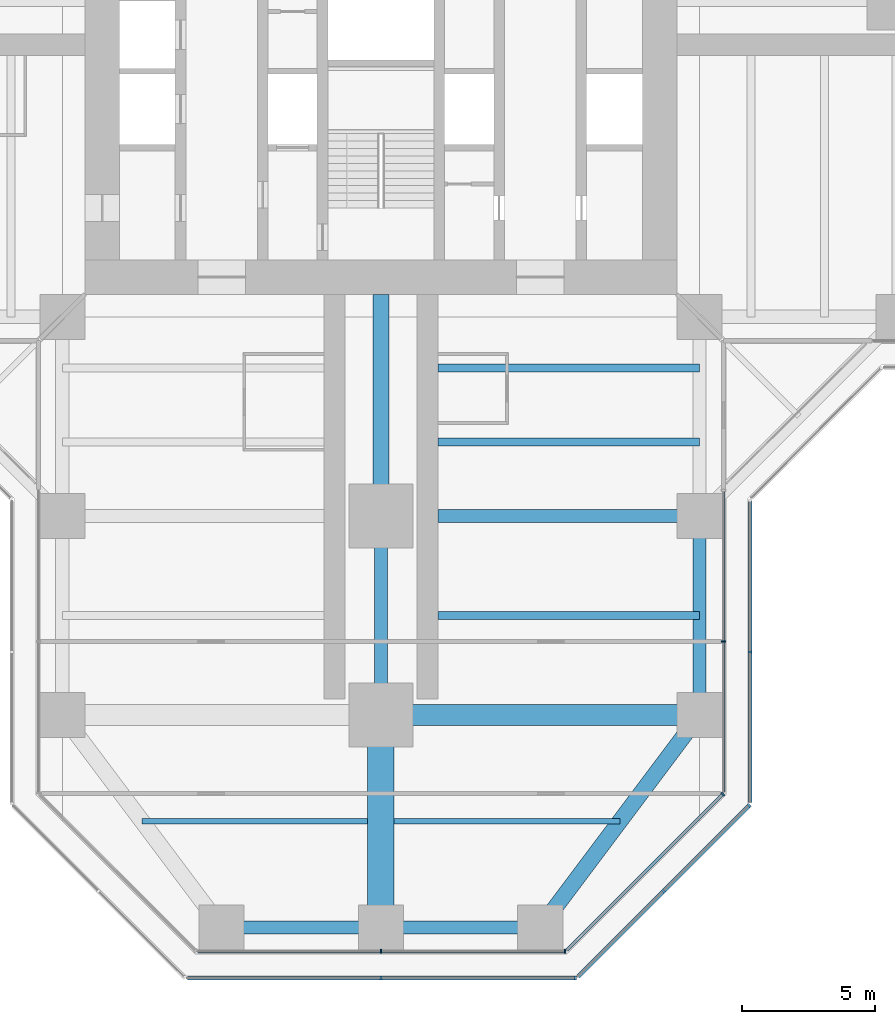
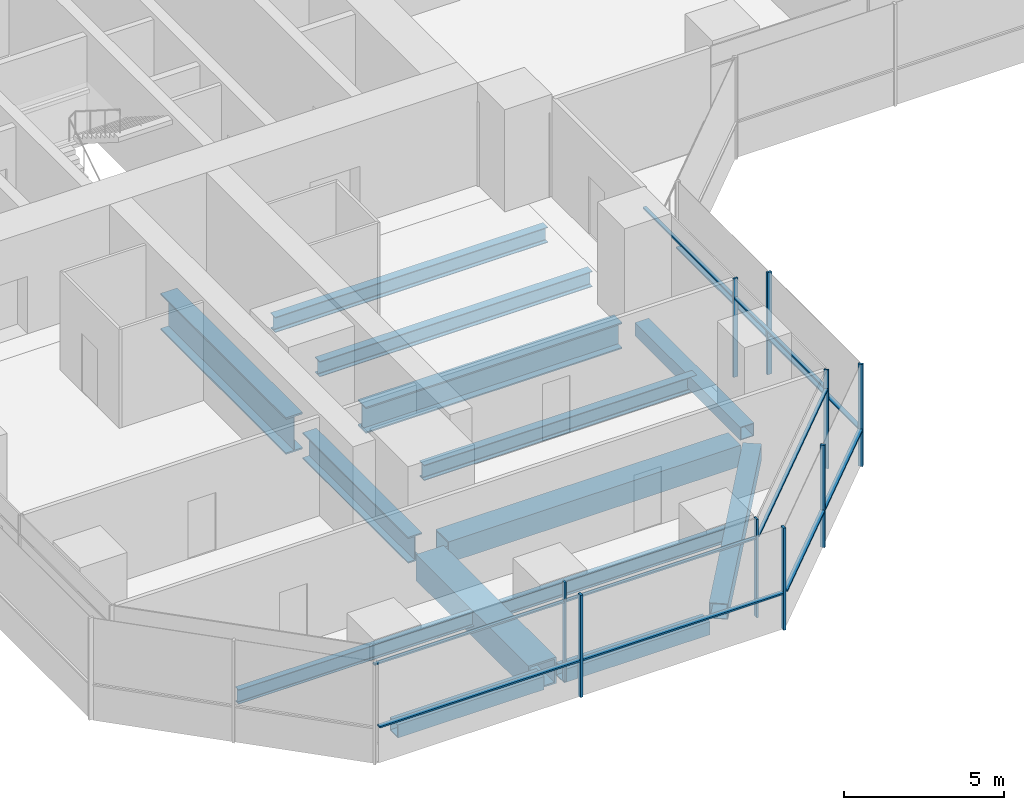
# One storey, part 5 of 22: 20 members, 14 beams, 6 elements without a shape of their own.
"""IFC4 building model written with IfcOpenShell, lengths in metres."""

from ifc_helpers import new_model, si_unit, direction, frame, origin, origin_2d, place, context, subcontext, project, spatial, rectangle, hollow_rectangle, i_section, extrude, material, material_profile, profile_set, type_object, element, aggregate, save


model = new_model("IFC4")

# Units and contexts
model_context = context("Model", 3, precision=1e-05, world=origin(), true_north=direction((0.0, 1.0)))
body_context = subcontext(model_context, "Body", "Model", "MODEL_VIEW")
ifc_project = project(units=[si_unit("LENGTHUNIT", "METRE"), si_unit("AREAUNIT", "SQUARE_METRE"), si_unit("VOLUMEUNIT", "CUBIC_METRE"), si_unit("PLANEANGLEUNIT", "RADIAN"), si_unit("MASSUNIT", "GRAM", prefix="KILO")], contexts=[model_context])

# Site, building, storey
site_placement = place(None, origin())
site = spatial("IfcSite", under=ifc_project, at=site_placement, CompositionType="ELEMENT")
building_placement = place(site_placement, origin())
building = spatial("IfcBuilding", under=site, at=building_placement, Name="Mizan Broadcast Tower", CompositionType="ELEMENT")
storey_placement = place(building_placement, frame((0.0, 0.0, 90.300048828125)))
storey = spatial("IfcBuildingStorey", under=building, at=storey_placement, Name="L19", CompositionType="ELEMENT", Elevation=90.300048828125)

# Beams
ifc_material_1 = material(Name="Steel S355", Category="steel")
ifc_material_profile_1 = material_profile(ifc_material_1, hollow_rectangle(XDim=0.5, YDim=0.5, WallThickness=0.030029296875, at=origin_2d()), Name="BOX 500x500x30")
ifc_profile_set_1 = profile_set([ifc_material_profile_1], Name="Steel S355")
beam_type_1 = type_object("IfcBeamType", Name="EDGE BEAM BOX 500x500x30", PredefinedType="SPANDREL", material=ifc_profile_set_1)
beam_1_placement = place(storey_placement, frame((-5.639892578125, -35.0, -0.380126953125), z_axis=(1.0, 0.0, 0.0), x_axis=(0.0, 1.0, 0.0)))
element("IfcBeam", 1, at=beam_1_placement, inside=storey, type_object=beam_type_1, Name="Edge beam BOX 500x500x30 L19 south arm", PredefinedType="SPANDREL", context=body_context, shape_type="SweptSolid", body=[
    extrude(hollow_rectangle(XDim=0.5, YDim=0.5, WallThickness=0.030029296875, at=origin_2d()), origin(), (0.0, 0.0, 1.0), 5.27978515625),
])
beam_2_placement = place(storey_placement, frame((12.0, -19.949951171875, -0.380126953125), z_axis=(0.0, -1.0, 0.0), x_axis=(1.0, 0.0, 0.0)))
element("IfcBeam", 2, at=beam_2_placement, inside=storey, type_object=beam_type_1, Name="Edge beam BOX 500x500x30 L19 south arm", PredefinedType="SPANDREL", context=body_context, shape_type="SweptSolid", body=[
    extrude(hollow_rectangle(XDim=0.5, YDim=0.5, WallThickness=0.030029296875, at=origin_2d()), origin(), (0.0, 0.0, 1.0), 6.60009765625),
])
beam_3_placement = place(storey_placement, frame((5.639892578125, -35.0, -0.380126953125), z_axis=(-1.0, 0.0, 0.0), x_axis=(0.0, -1.0, 0.0)))
element("IfcBeam", 3, at=beam_3_placement, inside=storey, type_object=beam_type_1, Name="Edge beam BOX 500x500x30 L19 south arm", PredefinedType="SPANDREL", context=body_context, shape_type="SweptSolid", body=[
    extrude(hollow_rectangle(XDim=0.5, YDim=0.5, WallThickness=0.030029296875, at=origin_2d()), origin(), (0.0, 0.0, 1.0), 5.27978515625),
])
ifc_material_2 = material(Name="Steel S355", Category="steel")
ifc_material_profile_2 = material_profile(ifc_material_2, hollow_rectangle(XDim=0.60009765625, YDim=0.60009765625, WallThickness=0.030029296875, at=origin_2d()), Name="BOX 600x600x30")
ifc_profile_set_2 = profile_set([ifc_material_profile_2], Name="Steel S355")
beam_type_2 = type_object("IfcBeamType", Name="EDGE BEAM BOX 600x600x30", PredefinedType="SPANDREL", material=ifc_profile_set_2)
beam_4_placement = place(storey_placement, frame((11.639892578125, -27.47998046875, -0.429931640625), z_axis=(-0.599982243973, -0.800013316712, 0.0), x_axis=(0.800013316712, -0.599982243973, 0.0)))
element("IfcBeam", 4, at=beam_4_placement, inside=storey, type_object=beam_type_2, Name="Edge beam BOX 600x600x30 L19 south arm", PredefinedType="SPANDREL", context=body_context, shape_type="SweptSolid", body=[
    extrude(hollow_rectangle(XDim=0.60009765625, YDim=0.60009765625, WallThickness=0.030029296875, at=origin_2d()), origin(), (0.0, 0.0, 1.0), 8.7998046875),
])
ifc_material_3 = material(Name="Steel S460", Category="steel")
ifc_material_profile_3 = material_profile(ifc_material_3, hollow_rectangle(XDim=1.0, YDim=1.0, WallThickness=0.06005859375, at=origin_2d()), Name="BOX 1000x1000x60")
ifc_profile_set_3 = profile_set([ifc_material_profile_3], Name="Steel S460")
beam_type_3 = type_object("IfcBeamType", Name="GIRDER BOX 1000x1000x60", PredefinedType="BEAM", material=ifc_profile_set_3)
beam_5_placement = place(storey_placement, frame((0.0, -27.47998046875, -0.630126953125), z_axis=(0.0, -1.0, 0.0), x_axis=(1.0, 0.0, 0.0)))
element("IfcBeam", 5, at=beam_5_placement, inside=storey, type_object=beam_type_3, Name="Girder BOX 1000x1000x60 L19 south arm", PredefinedType="BEAM", context=body_context, shape_type="SweptSolid", body=[
    extrude(hollow_rectangle(XDim=1.0, YDim=1.0, WallThickness=0.06005859375, at=origin_2d()), origin(), (0.0, 0.0, 1.0), 7.0400390625),
])
ifc_material_4 = material(Name="Steel S460", Category="steel")
ifc_material_profile_4 = material_profile(ifc_material_4, hollow_rectangle(XDim=0.800048828125, YDim=0.800048828125, WallThickness=0.050048828125, at=origin_2d()), Name="BOX 800x800x50")
ifc_profile_set_4 = profile_set([ifc_material_profile_4], Name="Steel S460")
beam_type_4 = type_object("IfcBeamType", Name="GIRDER BOX 800x800x50", PredefinedType="BEAM", material=ifc_profile_set_4)
beam_6_placement = place(storey_placement, frame((11.280029296875, -27.0, -0.530029296875), z_axis=(-1.0, 0.0, 0.0), x_axis=(0.0, -1.0, 0.0)))
element("IfcBeam", 6, at=beam_6_placement, inside=storey, type_object=beam_type_4, Name="Girder BOX 800x800x50 L19 south arm", PredefinedType="BEAM", context=body_context, shape_type="SweptSolid", body=[
    extrude(hollow_rectangle(XDim=0.800048828125, YDim=0.800048828125, WallThickness=0.050048828125, at=origin_2d()), origin(), (0.0, 0.0, 1.0), 10.56005859375),
])
ifc_material_5 = material(Name="Steel S460", Category="steel")
ifc_material_profile_5 = material_profile(ifc_material_5, i_section(OverallWidth=0.5, OverallDepth=1.0, WebThickness=0.02490234375, FlangeThickness=0.050048828125, at=origin_2d()), Name="WPG 1000x500")
ifc_profile_set_5 = profile_set([ifc_material_profile_5], Name="Steel S460")
beam_type_5 = type_object("IfcBeamType", Name="GIRDER WPG 1000x500", PredefinedType="BEAM", material=ifc_profile_set_5)
beam_7_placement = place(storey_placement, frame((0.0, -19.949951171875, -0.630126953125), z_axis=(0.0, -1.0, 0.0), x_axis=(1.0, 0.0, 0.0)))
element("IfcBeam", 7, at=beam_7_placement, inside=storey, type_object=beam_type_5, Name="Girder WPG 1000x500 L19 south arm", PredefinedType="BEAM", context=body_context, shape_type="SweptSolid", body=[
    extrude(i_section(OverallWidth=0.5, OverallDepth=1.0, WebThickness=0.02490234375, FlangeThickness=0.050048828125, at=origin_2d()), origin(), (0.0, 0.0, 1.0), 6.60009765625),
])
beam_8_placement = place(storey_placement, frame((11.408935546875, -19.5, -0.630126953125), z_axis=(-1.0, 0.0, 0.0), x_axis=(0.0, -1.0, 0.0)))
element("IfcBeam", 8, at=beam_8_placement, inside=storey, type_object=beam_type_5, Name="Girder WPG 1000x500 L19 south arm", PredefinedType="BEAM", context=body_context, shape_type="SweptSolid", body=[
    extrude(i_section(OverallWidth=0.5, OverallDepth=1.0, WebThickness=0.02490234375, FlangeThickness=0.050048828125, at=origin_2d()), origin(), (0.0, 0.0, 1.0), 9.259033203125),
])
ifc_material_6 = material(Name="Steel S460", Category="steel")
ifc_material_profile_6 = material_profile(ifc_material_6, i_section(OverallWidth=0.60009765625, OverallDepth=1.39990234375, WebThickness=0.02490234375, FlangeThickness=0.06005859375, at=origin_2d()), Name="WPG 1400x600")
ifc_profile_set_6 = profile_set([ifc_material_profile_6], Name="Steel S460")
beam_type_6 = type_object("IfcBeamType", Name="GIRDER WPG 1400x600", PredefinedType="BEAM", material=ifc_profile_set_6)
beam_9_placement = place(storey_placement, frame((0.0, -11.14990234375, -0.830078125), z_axis=(0.0, -1.0, 0.0), x_axis=(1.0, 0.0, 0.0)))
element("IfcBeam", 9, at=beam_9_placement, inside=storey, type_object=beam_type_6, Name="Girder WPG 1400x600 L19 south arm", PredefinedType="BEAM", context=body_context, shape_type="SweptSolid", body=[
    extrude(i_section(OverallWidth=0.60009765625, OverallDepth=1.39990234375, WebThickness=0.02490234375, FlangeThickness=0.06005859375, at=origin_2d()), origin(), (0.0, 0.0, 1.0), 7.84912109375),
])

# Curtain wall, members
ifc_material_7 = material(Name="Aluminium framed glazing", Category="aluminium")
curtain_wall_type_1 = type_object("IfcCurtainWallType", Name="INNER SKIN LOW ZONE", PredefinedType="USERDEFINED", material=ifc_material_7)
curtain_wall_1_placement = place(storey_placement, origin())
curtain_wall_1 = element("IfcCurtainWall", 10, at=curtain_wall_1_placement, inside=storey, type_object=curtain_wall_type_1, Name="Inner skin low zone L19 S end", ObjectType="INNER SKIN LOW ZONE", PredefinedType="USERDEFINED")
ifc_material_8 = material(Name="Aluminium, pale anodised", Category="aluminium")
ifc_material_profile_7 = material_profile(ifc_material_8, rectangle(XDim=0.159912109375, YDim=0.06005859375, at=origin_2d()), Name="MULLION 160x60")
ifc_profile_set_7 = profile_set([ifc_material_profile_7], Name="Aluminium, pale anodised")
member_type_1 = type_object("IfcMemberType", Name="INNER SKIN MULLION 60x160", PredefinedType="MULLION", material=ifc_profile_set_7)
member_1_placement = place(storey_placement, frame((0.0, -35.89990234375, 0.0), z_axis=(0.0, 0.0, 1.0), x_axis=(0.0, 1.0, 0.0)))
member_1 = element("IfcMember", 11, at=member_1_placement, type_object=member_type_1, Name="Inner skin low zone L19 S end mullion 2", PredefinedType="MULLION", context=body_context, shape_type="SweptSolid", body=[
    extrude(rectangle(XDim=0.159912109375, YDim=0.06005859375, at=origin_2d()), origin(), (0.0, 0.0, 1.0), 3.77001953125),
])
member_2_placement = place(storey_placement, frame((6.928466796875, -35.89990234375, 0.0), z_axis=(0.0, 0.0, 1.0), x_axis=(0.0, 1.0, 0.0)))
member_2 = element("IfcMember", 12, at=member_2_placement, type_object=member_type_1, Name="Inner skin low zone L19 S end mullion 3", PredefinedType="MULLION", context=body_context, shape_type="SweptSolid", body=[
    extrude(rectangle(XDim=0.159912109375, YDim=0.06005859375, at=origin_2d()), origin(), (0.0, 0.0, 1.0), 3.77001953125),
])

# Curtain wall, member
curtain_wall_2_placement = place(storey_placement, origin())
curtain_wall_2 = element("IfcCurtainWall", 13, at=curtain_wall_2_placement, inside=storey, type_object=curtain_wall_type_1, Name="Inner skin low zone L19 S chamfer", ObjectType="INNER SKIN LOW ZONE", PredefinedType="USERDEFINED")
member_3_placement = place(storey_placement, frame((12.87890625, -29.979736328125, 0.0), z_axis=(0.0, 0.0, 1.0), x_axis=(-0.707106781187, 0.707106781187, 0.0)))
member_3 = element("IfcMember", 14, at=member_3_placement, type_object=member_type_1, Name="Inner skin low zone L19 S chamfer mullion 2", PredefinedType="MULLION", context=body_context, shape_type="SweptSolid", body=[
    extrude(rectangle(XDim=0.159912109375, YDim=0.06005859375, at=origin_2d()), origin(), (0.0, 0.0, 1.0), 3.77001953125),
])

curtain_wall_3_placement = place(storey_placement, origin())
curtain_wall_3 = element("IfcCurtainWall", 15, at=curtain_wall_3_placement, inside=storey, type_object=curtain_wall_type_1, Name="Inner skin low zone L19 S side", ObjectType="INNER SKIN LOW ZONE", PredefinedType="USERDEFINED")
member_4_placement = place(storey_placement, frame((12.89990234375, -24.229248046875, 0.0), z_axis=(0.0, 0.0, 1.0), x_axis=(-1.0, 0.0, 0.0)))
member_4 = element("IfcMember", 16, at=member_4_placement, type_object=member_type_1, Name="Inner skin low zone L19 S side mullion 2", PredefinedType="MULLION", context=body_context, shape_type="SweptSolid", body=[
    extrude(rectangle(XDim=0.159912109375, YDim=0.06005859375, at=origin_2d()), origin(), (0.0, 0.0, 1.0), 3.77001953125),
])

# Member
ifc_material_9 = material(Name="Aluminium, pale anodised", Category="aluminium")
ifc_material_profile_8 = material_profile(ifc_material_9, rectangle(XDim=0.1201171875, YDim=0.06005859375, at=origin_2d()), Name="TRANSOM 120x60")
ifc_profile_set_8 = profile_set([ifc_material_profile_8], Name="Aluminium, pale anodised")
member_type_2 = type_object("IfcMemberType", Name="INNER SKIN TRANSOM 60x120", PredefinedType="USERDEFINED", material=ifc_profile_set_8)
member_5_placement = place(storey_placement, frame((-6.898681640625, -35.89990234375, 3.030029296875), z_axis=(1.0, 0.0, 0.0), x_axis=(0.0, 1.0, 0.0)))
member_5 = element("IfcMember", 17, at=member_5_placement, type_object=member_type_2, Name="Inner skin low zone L19 S end transom 1.1", ObjectType="TRANSOM", PredefinedType="USERDEFINED", context=body_context, shape_type="SweptSolid", body=[
    extrude(rectangle(XDim=0.1201171875, YDim=0.06005859375, at=origin_2d()), origin(), (0.0, 0.0, 1.0), 6.86865234375),
])

member_6_placement = place(storey_placement, frame((0.030029296875, -35.89990234375, 3.030029296875), z_axis=(1.0, 0.0, 0.0), x_axis=(0.0, 1.0, 0.0)))
member_6 = element("IfcMember", 18, at=member_6_placement, type_object=member_type_2, Name="Inner skin low zone L19 S end transom 2.1", ObjectType="TRANSOM", PredefinedType="USERDEFINED", context=body_context, shape_type="SweptSolid", body=[
    extrude(rectangle(XDim=0.1201171875, YDim=0.06005859375, at=origin_2d()), origin(), (0.0, 0.0, 1.0), 6.86865234375),
])

aggregate(curtain_wall_1, [member_1, member_2, member_5, member_6])

member_7_placement = place(storey_placement, frame((7.0009765625, -35.857666015625, 3.030029296875), z_axis=(0.707106781187, 0.707106781187, 0.0), x_axis=(-0.707106781187, 0.707106781187, 0.0)))
member_7 = element("IfcMember", 19, at=member_7_placement, type_object=member_type_2, Name="Inner skin low zone L19 S chamfer transom 1.1", ObjectType="TRANSOM", PredefinedType="USERDEFINED", context=body_context, shape_type="SweptSolid", body=[
    extrude(rectangle(XDim=0.1201171875, YDim=0.06005859375, at=origin_2d()), origin(), (0.0, 0.0, 1.0), 8.28271484375),
])

aggregate(curtain_wall_2, [member_3, member_7])

member_8_placement = place(storey_placement, frame((12.89990234375, -29.898681640625, 3.030029296875), z_axis=(0.0, 1.0, 0.0), x_axis=(-1.0, 0.0, 0.0)))
member_8 = element("IfcMember", 20, at=member_8_placement, type_object=member_type_2, Name="Inner skin low zone L19 S side transom 1.1", ObjectType="TRANSOM", PredefinedType="USERDEFINED", context=body_context, shape_type="SweptSolid", body=[
    extrude(rectangle(XDim=0.1201171875, YDim=0.06005859375, at=origin_2d()), origin(), (0.0, 0.0, 1.0), 5.639404296875),
])

member_9_placement = place(storey_placement, frame((12.89990234375, -24.19921875, 3.030029296875), z_axis=(0.0, 1.0, 0.0), x_axis=(-1.0, 0.0, 0.0)))
member_9 = element("IfcMember", 21, at=member_9_placement, type_object=member_type_2, Name="Inner skin low zone L19 S side transom 2.1", ObjectType="TRANSOM", PredefinedType="USERDEFINED", context=body_context, shape_type="SweptSolid", body=[
    extrude(rectangle(XDim=0.1201171875, YDim=0.06005859375, at=origin_2d()), origin(), (0.0, 0.0, 1.0), 5.63916015625),
])

aggregate(curtain_wall_3, [member_4, member_8, member_9])

# Curtain wall, members
ifc_material_10 = material(Name="Aluminium framed glazing", Category="aluminium")
curtain_wall_type_2 = type_object("IfcCurtainWallType", Name="OUTER SKIN", PredefinedType="USERDEFINED", material=ifc_material_10)
curtain_wall_4_placement = place(storey_placement, origin())
curtain_wall_4 = element("IfcCurtainWall", 22, at=curtain_wall_4_placement, inside=storey, type_object=curtain_wall_type_2, Name="Outer skin L19 S end", ObjectType="OUTER SKIN", PredefinedType="USERDEFINED")
ifc_material_11 = material(Name="Aluminium, pale anodised", Category="aluminium")
ifc_material_profile_9 = material_profile(ifc_material_11, rectangle(XDim=0.159912109375, YDim=0.080078125, at=origin_2d()), Name="MULLION 160x80")
ifc_profile_set_9 = profile_set([ifc_material_profile_9], Name="Aluminium, pale anodised")
member_type_3 = type_object("IfcMemberType", Name="OUTER SKIN MULLION 80x160", PredefinedType="MULLION", material=ifc_profile_set_9)
member_10_placement = place(storey_placement, frame((0.0, -36.89990234375, 0.0), z_axis=(0.0, 0.0, 1.0), x_axis=(0.0, 1.0, 0.0)))
member_10 = element("IfcMember", 23, at=member_10_placement, type_object=member_type_3, Name="Outer skin L19 S end mullion 2", PredefinedType="MULLION", context=body_context, shape_type="SweptSolid", body=[
    extrude(rectangle(XDim=0.159912109375, YDim=0.080078125, at=origin_2d()), origin(), (0.0, 0.0, 1.0), 3.89990234375),
])
member_11_placement = place(storey_placement, frame((7.332763671875, -36.89990234375, 0.0), z_axis=(0.0, 0.0, 1.0), x_axis=(0.0, 1.0, 0.0)))
member_11 = element("IfcMember", 24, at=member_11_placement, type_object=member_type_3, Name="Outer skin L19 S end mullion 3", PredefinedType="MULLION", context=body_context, shape_type="SweptSolid", body=[
    extrude(rectangle(XDim=0.159912109375, YDim=0.080078125, at=origin_2d()), origin(), (0.0, 0.0, 1.0), 3.89990234375),
])

curtain_wall_5_placement = place(storey_placement, origin())
curtain_wall_5 = element("IfcCurtainWall", 25, at=curtain_wall_5_placement, inside=storey, type_object=curtain_wall_type_2, Name="Outer skin L19 S chamfer", ObjectType="OUTER SKIN", PredefinedType="USERDEFINED")
member_12_placement = place(storey_placement, frame((10.636474609375, -33.636474609375, 0.0), z_axis=(0.0, 0.0, 1.0), x_axis=(-0.707106781187, 0.707106781187, 0.0)))
member_12 = element("IfcMember", 26, at=member_12_placement, type_object=member_type_3, Name="Outer skin L19 S chamfer mullion 2", PredefinedType="MULLION", context=body_context, shape_type="SweptSolid", body=[
    extrude(rectangle(XDim=0.159912109375, YDim=0.080078125, at=origin_2d()), origin(), (0.0, 0.0, 1.0), 3.89990234375),
])
member_13_placement = place(storey_placement, frame((13.871826171875, -30.401123046875, 0.0), z_axis=(0.0, 0.0, 1.0), x_axis=(-0.707106781187, 0.707106781187, 0.0)))
member_13 = element("IfcMember", 27, at=member_13_placement, type_object=member_type_3, Name="Outer skin L19 S chamfer mullion 3", PredefinedType="MULLION", context=body_context, shape_type="SweptSolid", body=[
    extrude(rectangle(XDim=0.159912109375, YDim=0.080078125, at=origin_2d()), origin(), (0.0, 0.0, 1.0), 3.89990234375),
])

# Curtain wall, member
curtain_wall_6_placement = place(storey_placement, origin())
curtain_wall_6 = element("IfcCurtainWall", 28, at=curtain_wall_6_placement, inside=storey, type_object=curtain_wall_type_2, Name="Outer skin L19 S side", ObjectType="OUTER SKIN", PredefinedType="USERDEFINED")
member_14_placement = place(storey_placement, frame((13.89990234375, -24.622802734375, 0.0), z_axis=(0.0, 0.0, 1.0), x_axis=(-1.0, 0.0, 0.0)))
member_14 = element("IfcMember", 29, at=member_14_placement, type_object=member_type_3, Name="Outer skin L19 S side mullion 2", PredefinedType="MULLION", context=body_context, shape_type="SweptSolid", body=[
    extrude(rectangle(XDim=0.159912109375, YDim=0.080078125, at=origin_2d()), origin(), (0.0, 0.0, 1.0), 3.89990234375),
])

# Member
ifc_material_12 = material(Name="Aluminium, pale anodised", Category="aluminium")
ifc_material_profile_10 = material_profile(ifc_material_12, rectangle(XDim=0.159912109375, YDim=0.06005859375, at=origin_2d()), Name="TRANSOM 160x60")
ifc_profile_set_10 = profile_set([ifc_material_profile_10], Name="Aluminium, pale anodised")
member_type_4 = type_object("IfcMemberType", Name="OUTER SKIN TRANSOM 60x160", PredefinedType="USERDEFINED", material=ifc_profile_set_10)
member_15_placement = place(storey_placement, frame((-7.292724609375, -36.89990234375, 1.39990234375), z_axis=(1.0, 0.0, 0.0), x_axis=(0.0, 1.0, 0.0)))
member_15 = element("IfcMember", 30, at=member_15_placement, type_object=member_type_4, Name="Outer skin L19 S end transom 1.1", ObjectType="TRANSOM", PredefinedType="USERDEFINED", context=body_context, shape_type="SweptSolid", body=[
    extrude(rectangle(XDim=0.159912109375, YDim=0.06005859375, at=origin_2d()), origin(), (0.0, 0.0, 1.0), 7.252685546875),
])

member_16_placement = place(storey_placement, frame((0.0400390625, -36.89990234375, 1.39990234375), z_axis=(1.0, 0.0, 0.0), x_axis=(0.0, 1.0, 0.0)))
member_16 = element("IfcMember", 31, at=member_16_placement, type_object=member_type_4, Name="Outer skin L19 S end transom 2.1", ObjectType="TRANSOM", PredefinedType="USERDEFINED", context=body_context, shape_type="SweptSolid", body=[
    extrude(rectangle(XDim=0.159912109375, YDim=0.06005859375, at=origin_2d()), origin(), (0.0, 0.0, 1.0), 7.252685546875),
])

aggregate(curtain_wall_4, [member_10, member_11, member_15, member_16])

member_17_placement = place(storey_placement, frame((7.429443359375, -36.843505859375, 1.39990234375), z_axis=(0.707106781187, 0.707106781187, 0.0), x_axis=(-0.707106781187, 0.707106781187, 0.0)))
member_17 = element("IfcMember", 32, at=member_17_placement, type_object=member_type_4, Name="Outer skin L19 S chamfer transom 1.1", ObjectType="TRANSOM", PredefinedType="USERDEFINED", context=body_context, shape_type="SweptSolid", body=[
    extrude(rectangle(XDim=0.159912109375, YDim=0.06005859375, at=origin_2d()), origin(), (0.0, 0.0, 1.0), 4.495361328125),
])

member_18_placement = place(storey_placement, frame((10.664794921875, -33.608154296875, 1.39990234375), z_axis=(0.707106781187, 0.707106781187, 0.0), x_axis=(-0.707106781187, 0.707106781187, 0.0)))
member_18 = element("IfcMember", 33, at=member_18_placement, type_object=member_type_4, Name="Outer skin L19 S chamfer transom 2.1", ObjectType="TRANSOM", PredefinedType="USERDEFINED", context=body_context, shape_type="SweptSolid", body=[
    extrude(rectangle(XDim=0.159912109375, YDim=0.06005859375, at=origin_2d()), origin(), (0.0, 0.0, 1.0), 4.495361328125),
])

aggregate(curtain_wall_5, [member_12, member_13, member_17, member_18])

member_19_placement = place(storey_placement, frame((13.89990234375, -30.292724609375, 1.39990234375), z_axis=(0.0, 1.0, 0.0), x_axis=(-1.0, 0.0, 0.0)))
member_19 = element("IfcMember", 34, at=member_19_placement, type_object=member_type_4, Name="Outer skin L19 S side transom 1.1", ObjectType="TRANSOM", PredefinedType="USERDEFINED", context=body_context, shape_type="SweptSolid", body=[
    extrude(rectangle(XDim=0.159912109375, YDim=0.06005859375, at=origin_2d()), origin(), (0.0, 0.0, 1.0), 5.6298828125),
])

member_20_placement = place(storey_placement, frame((13.89990234375, -24.582763671875, 1.39990234375), z_axis=(0.0, 1.0, 0.0), x_axis=(-1.0, 0.0, 0.0)))
member_20 = element("IfcMember", 35, at=member_20_placement, type_object=member_type_4, Name="Outer skin L19 S side transom 2.1", ObjectType="TRANSOM", PredefinedType="USERDEFINED", context=body_context, shape_type="SweptSolid", body=[
    extrude(rectangle(XDim=0.159912109375, YDim=0.06005859375, at=origin_2d()), origin(), (0.0, 0.0, 1.0), 5.6298828125),
])

aggregate(curtain_wall_6, [member_14, member_19, member_20])

# Beams
ifc_material_13 = material(Name="Steel S355", Category="steel")
ifc_material_profile_11 = material_profile(ifc_material_13, i_section(OverallWidth=0.300048828125, OverallDepth=0.590087890625, WebThickness=0.012939453125, FlangeThickness=0.02490234375, FilletRadius=0.027099609375, at=origin_2d()), Name="HEA 600")
ifc_profile_set_11 = profile_set([ifc_material_profile_11], Name="Steel S355")
beam_type_7 = type_object("IfcBeamType", Name="SECONDARY BEAM HEA 600", PredefinedType="JOIST", material=ifc_profile_set_11)
for number, where, z_axis, x_axis, name in (
    (36, (12.0, -13.933349609375, -0.425048828125), (-1.0, 0.0, 0.0), (0.0, -1.0, 0.0), "Secondary beam HEA 600 L19 south arm"),
    (37, (12.0, -16.716552734375, -0.425048828125), (-1.0, 0.0, 0.0), (0.0, -1.0, 0.0), "Secondary beam HEA 600 L19 south arm"),
    (38, (12.0, -23.25, -0.425048828125), (-1.0, 0.0, 0.0), (0.0, -1.0, 0.0), "Secondary beam HEA 600 L19 south arm"),
):
    element("IfcBeam", number, at=place(storey_placement, frame(where, z_axis=z_axis, x_axis=x_axis)), inside=storey, type_object=beam_type_7, Name=name, PredefinedType="JOIST", context=body_context, shape_type="SweptSolid", body=[
        extrude(i_section(OverallWidth=0.300048828125, OverallDepth=0.590087890625, WebThickness=0.012939453125, FlangeThickness=0.02490234375, FilletRadius=0.027099609375, at=origin_2d()), origin(), (0.0, 0.0, 1.0), 9.85009765625),
    ])
ifc_material_14 = material(Name="Steel S355", Category="steel")
ifc_material_profile_12 = material_profile(ifc_material_14, i_section(OverallWidth=0.2099609375, OverallDepth=0.550048828125, WebThickness=0.010986328125, FlangeThickness=0.01708984375, FilletRadius=0.02392578125, at=origin_2d()), Name="IPE 550")
ifc_profile_set_12 = profile_set([ifc_material_profile_12], Name="Steel S355")
beam_type_8 = type_object("IfcBeamType", Name="SECONDARY BEAM IPE 550", PredefinedType="JOIST", material=ifc_profile_set_12)
for number, where, z_axis, x_axis, name in (
    (39, (-9.0, -31.0, -0.405029296875), (1.0, 0.0, 0.0), (0.0, 1.0, 0.0), "Secondary beam IPE 550 L19 south arm"),
    (40, (9.0, -31.0, -0.405029296875), (-1.0, 0.0, 0.0), (0.0, -1.0, 0.0), "Secondary beam IPE 550 L19 south arm"),
):
    element("IfcBeam", number, at=place(storey_placement, frame(where, z_axis=z_axis, x_axis=x_axis)), inside=storey, type_object=beam_type_8, Name=name, PredefinedType="JOIST", context=body_context, shape_type="SweptSolid", body=[
        extrude(i_section(OverallWidth=0.2099609375, OverallDepth=0.550048828125, WebThickness=0.010986328125, FlangeThickness=0.01708984375, FilletRadius=0.02392578125, at=origin_2d()), origin(), (0.0, 0.0, 1.0), 8.5),
    ])

save(model, "model.ifc")
